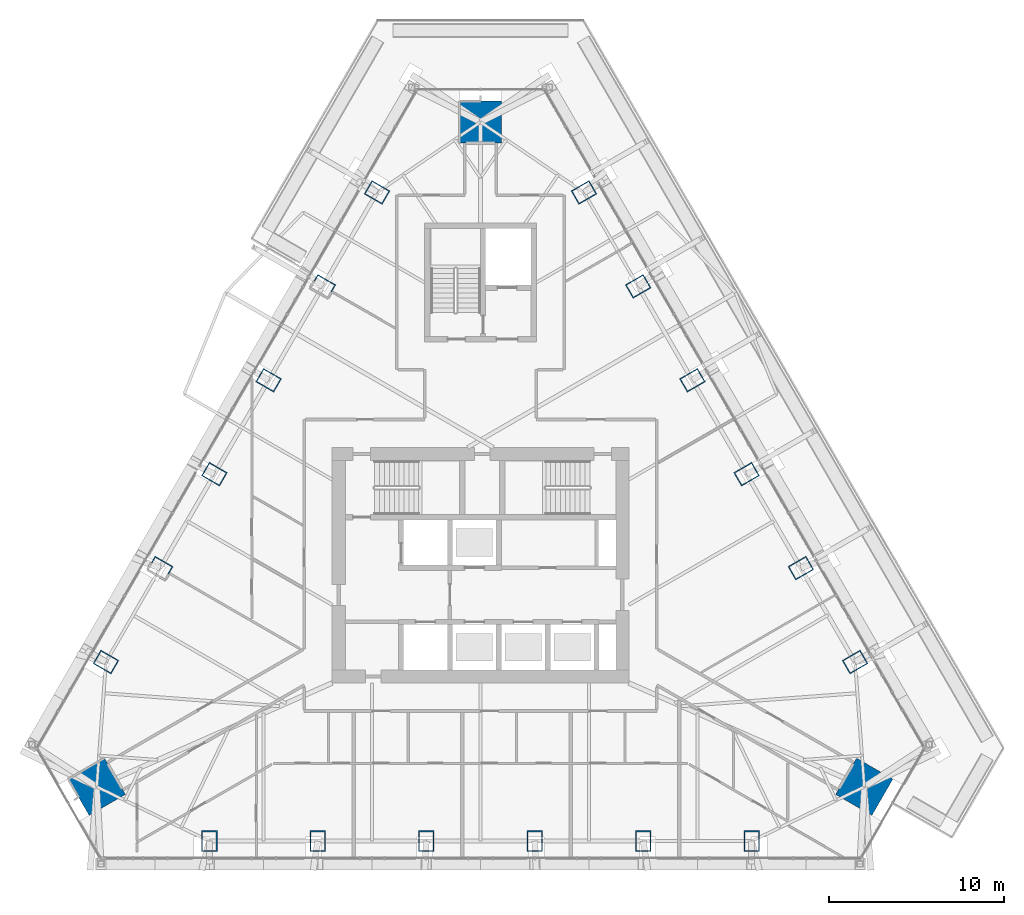
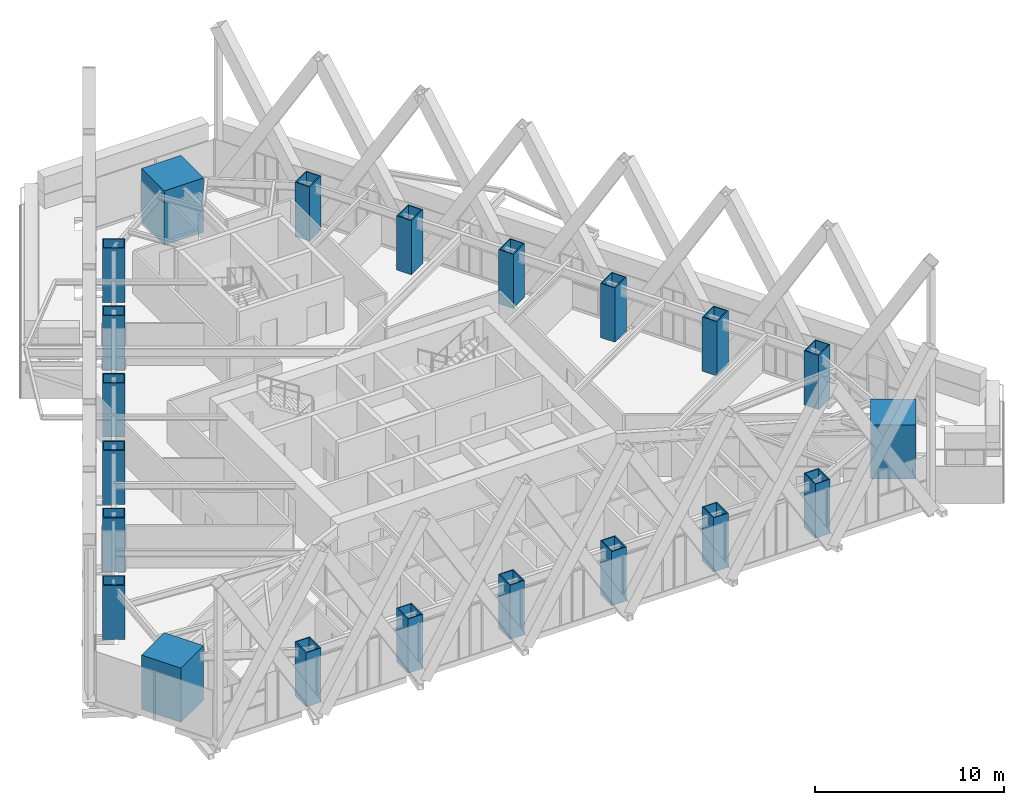
# One storey, part 1 of 23: 21 columns.
"""IFC4 building model written with IfcOpenShell, lengths in metres."""

from ifc_helpers import new_model, si_unit, direction, frame, origin, origin_2d, place, context, subcontext, project, spatial, rectangle, hollow_rectangle, extrude, material, material_profile, profile_set, type_object, element, save


model = new_model("IFC4")

# Units and contexts
model_context = context("Model", 3, precision=1e-05, world=origin(), true_north=direction((0.0, 1.0)))
body_context = subcontext(model_context, "Body", "Model", "MODEL_VIEW")
ifc_project = project(units=[si_unit("LENGTHUNIT", "METRE"), si_unit("AREAUNIT", "SQUARE_METRE"), si_unit("VOLUMEUNIT", "CUBIC_METRE"), si_unit("PLANEANGLEUNIT", "RADIAN"), si_unit("MASSUNIT", "GRAM", prefix="KILO")], contexts=[model_context])

# Site, building, storey
site_placement = place(None, origin())
site = spatial("IfcSite", under=ifc_project, at=site_placement, CompositionType="ELEMENT")
building_placement = place(site_placement, origin())
building = spatial("IfcBuilding", under=site, at=building_placement, Name="Firuza Gate Tower and Library", CompositionType="ELEMENT")
storey_placement = place(building_placement, frame((0.0, 0.0, 291.60009765625)))
storey = spatial("IfcBuildingStorey", under=building, at=storey_placement, Name="L70", CompositionType="ELEMENT", Elevation=291.60009765625)

# Columns
ifc_material_1 = material(Name="Steel S355", Category="steel")
ifc_material_profile_1 = material_profile(ifc_material_1, hollow_rectangle(XDim=0.89990234375, YDim=1.199951171875, WallThickness=0.06005859375, at=origin_2d()))
ifc_profile_set_1 = profile_set([ifc_material_profile_1], Name="Steel S355")
column_type_1 = type_object("IfcColumnType", Name="BU1200x900x60 Composite box column", PredefinedType="COLUMN", material=ifc_profile_set_1)
for number, where, z_axis, x_axis, name in (
    (1, (59.466552734375, 59.187744140625, -0.00048828125), (0.0, 0.0, 1.0), (1.0, 0.0, 0.0), "Column S1 L70"),
    (2, (65.679931640625, 59.187744140625, -0.00048828125), (0.0, 0.0, 1.0), (1.0, 0.0, 0.0), "Column S2 L70"),
    (3, (71.893310546875, 59.187744140625, -0.00048828125), (0.0, 0.0, 1.0), (1.0, 0.0, 0.0), "Column S3 L70"),
    (4, (78.106689453125, 59.187744140625, -0.00048828125), (0.0, 0.0, 1.0), (1.0, 0.0, 0.0), "Column S4 L70"),
    (5, (84.320068359375, 59.187744140625, -0.00048828125), (0.0, 0.0, 1.0), (1.0, 0.0, 0.0), "Column S5 L70"),
    (6, (90.533447265625, 59.187744140625, -0.00048828125), (0.0, 0.0, 1.0), (1.0, 0.0, 0.0), "Column S6 L70"),
    (7, (96.460693359375, 69.453857421875, -0.00048828125), (0.0, 0.0, 1.0), (-0.5, 0.866025403784, 0.0), "Column E1 L70"),
    (8, (93.35400390625, 74.834716796875, -0.00048828125), (0.0, 0.0, 1.0), (-0.5, 0.866025403784, 0.0), "Column E2 L70"),
    (9, (90.247314453125, 80.2158203125, -0.00048828125), (0.0, 0.0, 1.0), (-0.5, 0.866025403784, 0.0), "Column E3 L70"),
    (10, (87.140625, 85.5966796875, -0.00048828125), (0.0, 0.0, 1.0), (-0.5, 0.866025403784, 0.0), "Column E4 L70"),
    (11, (84.033935546875, 90.9775390625, -0.00048828125), (0.0, 0.0, 1.0), (-0.5, 0.866025403784, 0.0), "Column E5 L70"),
    (12, (80.92724609375, 96.3583984375, -0.00048828125), (0.0, 0.0, 1.0), (-0.5, 0.866025403784, 0.0), "Column E6 L70"),
    (13, (69.07275390625, 96.3583984375, -0.00048828125), (0.0, 0.0, 1.0), (-0.5, -0.866025403784, 0.0), "Column W1 L70"),
    (14, (65.966064453125, 90.9775390625, -0.00048828125), (0.0, 0.0, 1.0), (-0.5, -0.866025403784, 0.0), "Column W2 L70"),
    (15, (62.859375, 85.5966796875, -0.00048828125), (0.0, 0.0, 1.0), (-0.5, -0.866025403784, 0.0), "Column W3 L70"),
    (16, (59.752685546875, 80.2158203125, -0.00048828125), (0.0, 0.0, 1.0), (-0.5, -0.866025403784, 0.0), "Column W4 L70"),
    (17, (56.64599609375, 74.834716796875, -0.00048828125), (0.0, 0.0, 1.0), (-0.5, -0.866025403784, 0.0), "Column W5 L70"),
    (18, (53.539306640625, 69.453857421875, -0.00048828125), (0.0, 0.0, 1.0), (-0.5, -0.866025403784, 0.0), "Column W6 L70"),
):
    element("IfcColumn", number, at=place(storey_placement, frame(where, z_axis=z_axis, x_axis=x_axis)), inside=storey, type_object=column_type_1, Name=name, PredefinedType="COLUMN", context=body_context, shape_type="SweptSolid", body=[
        extrude(hollow_rectangle(XDim=0.89990234375, YDim=1.199951171875, WallThickness=0.06005859375, at=origin_2d()), origin(), (0.0, 0.0, 1.0), 3.50048828125),
    ])
ifc_material_2 = material(Name="Concrete C80/95", Category="concrete")
ifc_material_profile_2 = material_profile(ifc_material_2, rectangle(XDim=2.39990234375, YDim=2.39990234375, at=origin_2d()))
ifc_profile_set_2 = profile_set([ifc_material_profile_2], Name="Concrete C80/95")
column_type_2 = type_object("IfcColumnType", Name="Mega column 2400x2400 C80/95", PredefinedType="COLUMN", material=ifc_profile_set_2)
for number, where, z_axis, x_axis, name in (
    (19, (96.98779296875, 62.305419921875, 0.0), (0.0, 0.0, 1.0), (0.5, 0.866025403784, 0.0), "Mega column SE L70"),
    (20, (75.0, 100.389404296875, 0.0), (0.0, 0.0, 1.0), (-1.0, 0.0, 0.0), "Mega column N L70"),
    (21, (53.01220703125, 62.305419921875, 0.0), (0.0, 0.0, 1.0), (0.5, -0.866025403784, 0.0), "Mega column SW L70"),
):
    element("IfcColumn", number, at=place(storey_placement, frame(where, z_axis=z_axis, x_axis=x_axis)), inside=storey, type_object=column_type_2, Name=name, PredefinedType="COLUMN", context=body_context, shape_type="SweptSolid", body=[
        extrude(rectangle(XDim=2.39990234375, YDim=2.39990234375, at=origin_2d()), origin(), (0.0, 0.0, 1.0), 3.5),
    ])

save(model, "model.ifc")
